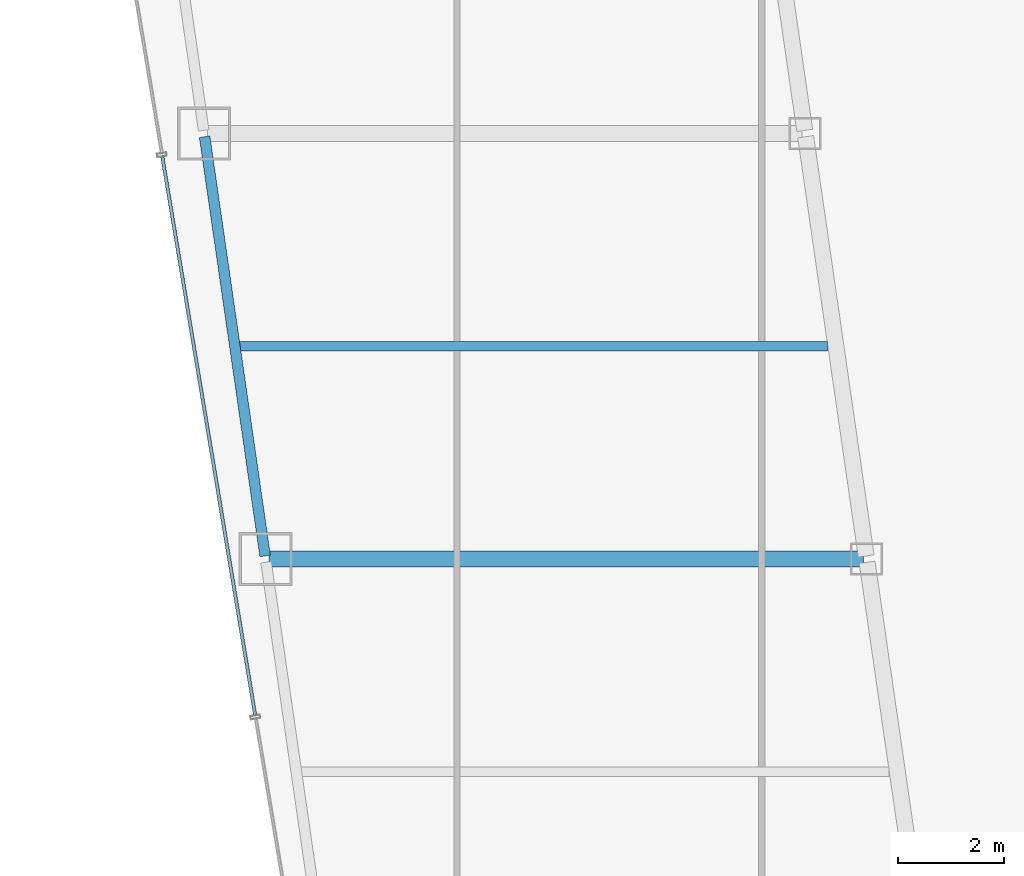
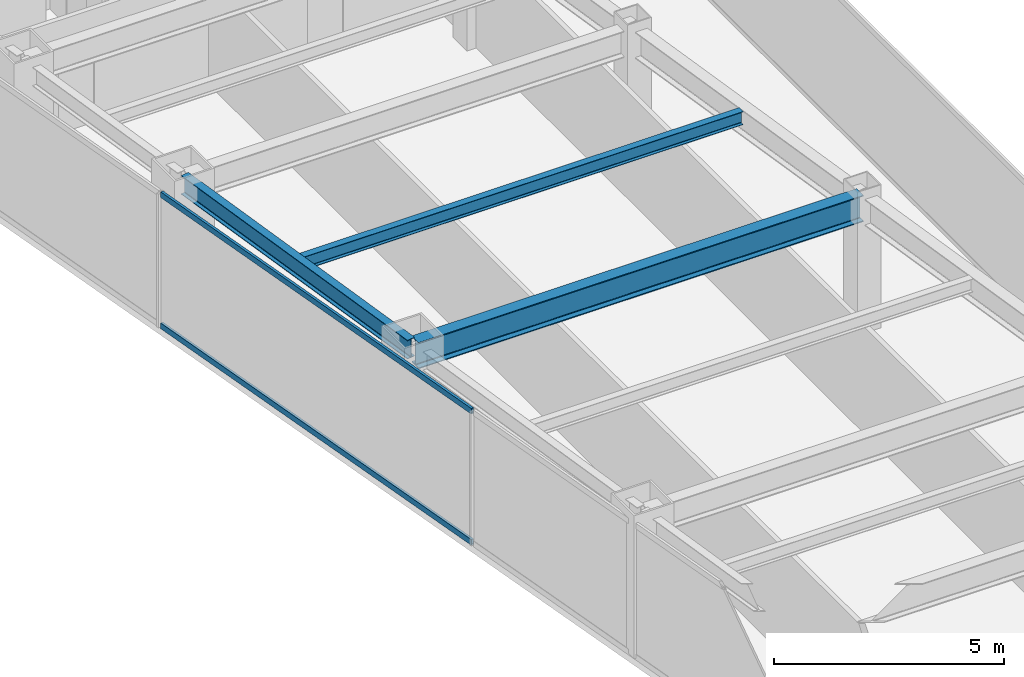
# One storey, part 8 of 37: 3 beams, 2 members, 1 element without a shape of its own.
"""IFC4 building model written with IfcOpenShell, lengths in metres."""

from ifc_helpers import new_model, si_unit, direction, frame, origin, origin_2d, place, context, subcontext, project, spatial, hollow_rectangle, i_section, extrude, material, material_profile, profile_set, type_object, element, aggregate, save


model = new_model("IFC4")

# Units and contexts
model_context = context("Model", 3, precision=1e-05, world=origin(), true_north=direction((0.0, 1.0)))
body_context = subcontext(model_context, "Body", "Model", "MODEL_VIEW")
ifc_project = project(units=[si_unit("LENGTHUNIT", "METRE"), si_unit("AREAUNIT", "SQUARE_METRE"), si_unit("VOLUMEUNIT", "CUBIC_METRE"), si_unit("PLANEANGLEUNIT", "RADIAN"), si_unit("MASSUNIT", "GRAM", prefix="KILO")], contexts=[model_context])

# Site, building, storey
site_placement = place(None, origin())
site = spatial("IfcSite", under=ifc_project, at=site_placement, CompositionType="ELEMENT")
building_placement = place(site_placement, origin())
building = spatial("IfcBuilding", under=site, at=building_placement, Name="Saevonmaru Cultural Tower", CompositionType="ELEMENT")
storey_placement = place(building_placement, frame((0.0, 0.0, 160.0)))
storey = spatial("IfcBuildingStorey", under=building, at=storey_placement, Name="L35", CompositionType="ELEMENT", Elevation=160.0)

# Beams
ifc_material_1 = material(Name="Steel SM355", Category="steel")
ifc_material_profile_1 = material_profile(ifc_material_1, i_section(OverallWidth=0.300048828125, OverallDepth=0.699951171875, WebThickness=0.012939453125, FlangeThickness=0.02392578125, FilletRadius=0.02587890625, at=origin_2d()), Name="H-700x300x13x24")
ifc_profile_set_1 = profile_set([ifc_material_profile_1], Name="Steel SM355")
beam_type_1 = type_object("IfcBeamType", Name="BM-G-H700", PredefinedType="BEAM", material=ifc_profile_set_1)
beam_1_placement = place(storey_placement, frame((9.531982421875, 24.0, 3.199951171875), z_axis=(1.0, 0.0, 0.0), x_axis=(0.0, 1.0, 0.0)))
element("IfcBeam", 1, at=beam_1_placement, inside=storey, type_object=beam_type_1, Name="L35 West Wing Transverse Girder 3", PredefinedType="BEAM", context=body_context, shape_type="SweptSolid", body=[
    extrude(i_section(OverallWidth=0.300048828125, OverallDepth=0.699951171875, WebThickness=0.012939453125, FlangeThickness=0.02392578125, FilletRadius=0.02587890625, at=origin_2d()), origin(), (0.0, 0.0, 1.0), 11.179931640625),
])
ifc_material_profile_2 = material_profile(ifc_material_1, i_section(OverallWidth=0.175048828125, OverallDepth=0.35009765625, WebThickness=0.007080078125, FlangeThickness=0.010986328125, FilletRadius=0.012939453125, at=origin_2d()), Name="H-350x175x7x11")
ifc_profile_set_2 = profile_set([ifc_material_profile_2], Name="Steel SM355")
beam_type_2 = type_object("IfcBeamType", Name="BM-J-H350", PredefinedType="JOIST", material=ifc_profile_set_2)
beam_2_placement = place(storey_placement, frame((8.95458984375, 28.0, 3.375), z_axis=(1.0, 0.0, 0.0), x_axis=(0.0, 1.0, 0.0)))
element("IfcBeam", 2, at=beam_2_placement, inside=storey, type_object=beam_type_2, Name="L35 West Wing Floor Joist 3", PredefinedType="JOIST", context=body_context, shape_type="SweptSolid", body=[
    extrude(i_section(OverallWidth=0.175048828125, OverallDepth=0.35009765625, WebThickness=0.007080078125, FlangeThickness=0.010986328125, FilletRadius=0.012939453125, at=origin_2d()), origin(), (0.0, 0.0, 1.0), 11.08203125),
])
ifc_material_profile_3 = material_profile(ifc_material_1, i_section(OverallWidth=0.199951171875, OverallDepth=0.5, WebThickness=0.010009765625, FlangeThickness=0.01611328125, FilletRadius=0.02001953125, at=origin_2d()), Name="H-500x200x10x16")
ifc_profile_set_3 = profile_set([ifc_material_profile_3], Name="Steel SM355")
beam_type_3 = type_object("IfcBeamType", Name="BM-SP-H500", PredefinedType="SPANDREL", material=ifc_profile_set_3)
beam_3_placement = place(storey_placement, frame((9.46337890625, 24.059326171875, 3.300048828125), z_axis=(-0.142871999001, 0.989741174197, 0.0), x_axis=(-0.989741174197, -0.142871999001, 0.0)))
element("IfcBeam", 3, at=beam_3_placement, inside=storey, type_object=beam_type_3, Name="L35 West Splayed Spandrel 3", PredefinedType="SPANDREL", context=body_context, shape_type="SweptSolid", body=[
    extrude(i_section(OverallWidth=0.199951171875, OverallDepth=0.5, WebThickness=0.010009765625, FlangeThickness=0.01611328125, FilletRadius=0.02001953125, at=origin_2d()), origin(), (0.0, 0.0, 1.0), 7.963134765625),
])

# Curtain wall, members
ifc_material_2 = material(Name="Satin Bronze Anodised Aluminium", Category="aluminium")
curtain_wall_type = type_object("IfcCurtainWallType", Name="CW-TYP-A", PredefinedType="NOTDEFINED", material=ifc_material_2)
curtain_wall_placement = place(storey_placement, origin())
curtain_wall = element("IfcCurtainWall", 4, at=curtain_wall_placement, inside=storey, type_object=curtain_wall_type, Name="L35 Unitised Curtain Wall E12", PredefinedType="NOTDEFINED")
ifc_material_profile_4 = material_profile(ifc_material_2, hollow_rectangle(XDim=0.06494140625, YDim=0.14990234375, WallThickness=0.00390625, at=origin_2d()), Name="ALU-TRAN-150x65x4")
ifc_profile_set_4 = profile_set([ifc_material_profile_4], Name="Satin Bronze Anodised Aluminium")
member_type = type_object("IfcMemberType", Name="TR-CW-150x65", PredefinedType="USERDEFINED", material=ifc_profile_set_4)
member_1_placement = place(storey_placement, frame((7.52978515625, 31.56787109375, 0.032470703125), z_axis=(0.163993787386, -0.98646137162, 0.0), x_axis=(0.98646137162, 0.163993787386, 0.0)))
member_1 = element("IfcMember", 5, at=member_1_placement, type_object=member_type, Name="CW-TW-L35-E12 transom 3.1", ObjectType="TRANSOM", PredefinedType="USERDEFINED", context=body_context, shape_type="SweptSolid", body=[
    extrude(hollow_rectangle(XDim=0.06494140625, YDim=0.14990234375, WallThickness=0.00390625, at=origin_2d()), origin(), (0.0, 0.0, 1.0), 10.650390625),
])
member_2_placement = place(storey_placement, frame((7.52978515625, 31.56787109375, 3.517578125), z_axis=(0.163993787386, -0.98646137162, 0.0), x_axis=(0.98646137162, 0.163993787386, 0.0)))
member_2 = element("IfcMember", 6, at=member_2_placement, type_object=member_type, Name="CW-TW-L35-E12 transom 3.2", ObjectType="TRANSOM", PredefinedType="USERDEFINED", context=body_context, shape_type="SweptSolid", body=[
    extrude(hollow_rectangle(XDim=0.06494140625, YDim=0.14990234375, WallThickness=0.00390625, at=origin_2d()), origin(), (0.0, 0.0, 1.0), 10.650390625),
])
aggregate(curtain_wall, [member_1, member_2])

save(model, "model.ifc")
